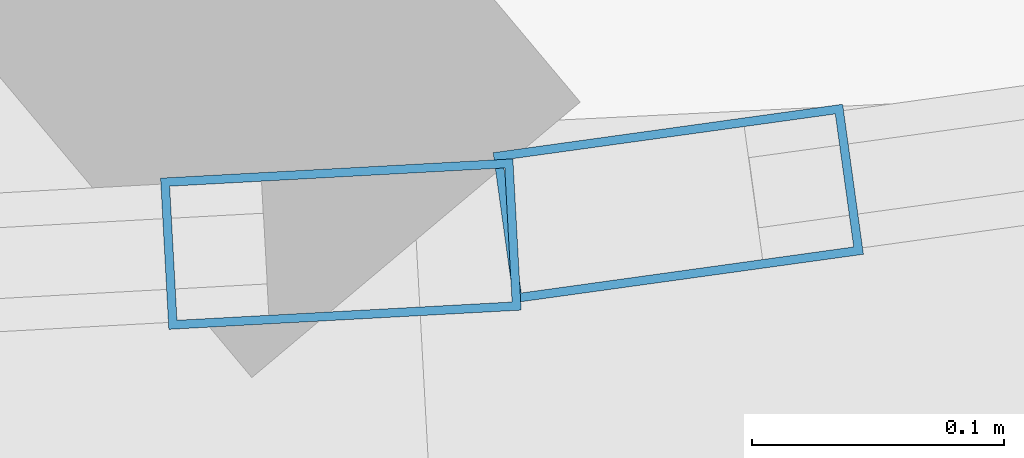
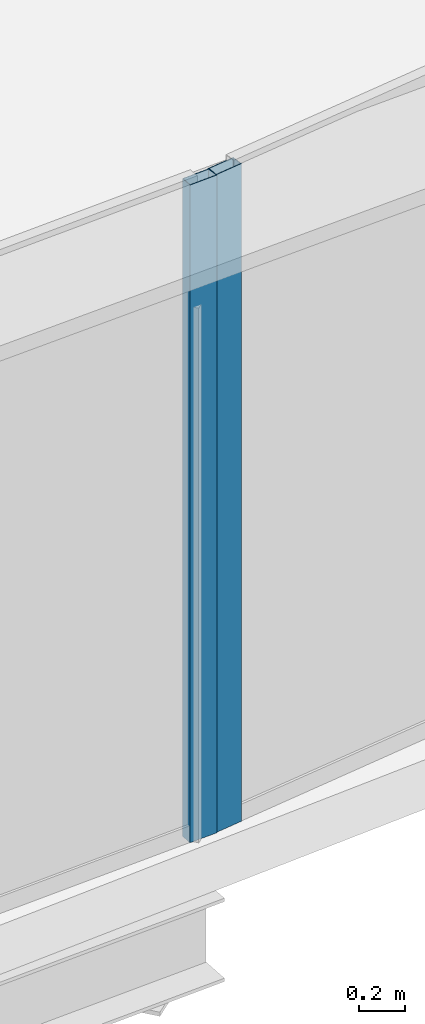
# One storey, part 12 of 36: 2 members, 2 elements without a shape of their own.
"""IFC4 building model written with IfcOpenShell, lengths in metres."""

from ifc_helpers import new_model, si_unit, direction, frame, origin, origin_2d, place, context, subcontext, project, spatial, hollow_rectangle, extrude, source, transform, mapped, material, layer, layer_set, material_profile, profile_set, type_object, element, aggregate, save


model = new_model("IFC4")

# Units and contexts
model_context = context("Model", 3, precision=1e-05, world=origin(), true_north=direction((0.0, 1.0)))
body_context = subcontext(model_context, "Body", "Model", "MODEL_VIEW")
ifc_project = project(units=[si_unit("LENGTHUNIT", "METRE"), si_unit("AREAUNIT", "SQUARE_METRE"), si_unit("VOLUMEUNIT", "CUBIC_METRE"), si_unit("PLANEANGLEUNIT", "RADIAN"), si_unit("MASSUNIT", "GRAM", prefix="KILO"), si_unit("THERMODYNAMICTEMPERATUREUNIT", "KELVIN"), si_unit("POWERUNIT", "WATT")], contexts=[model_context])

# Site, building, storey
site_placement = place(None, origin())
site = spatial("IfcSite", under=ifc_project, at=site_placement, CompositionType="ELEMENT")
building_placement = place(site_placement, origin())
building = spatial("IfcBuilding", under=site, at=building_placement, Name="Yunzhuo Pagoda Commons", CompositionType="ELEMENT")
storey_placement = place(building_placement, frame((0.0, 0.0, 244.530029296875)))
storey = spatial("IfcBuildingStorey", under=building, at=storey_placement, Name="L61", CompositionType="ELEMENT", Elevation=244.530029296875)

# Curtain wall, member
ifc_material = material(Name="Anodized aluminium 6063-T6", Category="aluminium")
ifc_layer = layer(ifc_material, 0.139892578125)
ifc_layer_set = layer_set([ifc_layer], Name="Anodized aluminium 6063-T6")
curtain_wall_type = type_object("IfcCurtainWallType", Name="CW-HI High-Zone Ribbon Curtain Wall", PredefinedType="NOTDEFINED", material=ifc_layer_set)
curtain_wall_1_placement = place(storey_placement, origin())
curtain_wall_1 = element("IfcCurtainWall", 1, at=curtain_wall_1_placement, inside=storey, type_object=curtain_wall_type, Name="L61 curtain wall CW-L61-F1B4", PredefinedType="NOTDEFINED")
ifc_material_profile = material_profile(ifc_material, hollow_rectangle(XDim=0.06005859375, YDim=0.139892578125, WallThickness=0.00341796875, at=origin_2d()), Name="Anodized aluminium 6063-T6")
ifc_profile_set = profile_set([ifc_material_profile], Name="Anodized aluminium 6063-T6")
member_type = type_object("IfcMemberType", Name="CW-HI-M Mullion RHS 140x60x3.5", PredefinedType="MULLION", material=ifc_profile_set)
shared_shape = source(origin(), body_context, "Body", "SweptSolid", [
    extrude(hollow_rectangle(XDim=0.06005859375, YDim=0.139892578125, WallThickness=0.00341796875, at=origin_2d()), origin(), (0.0, 0.0, 1.0), 3.469970703125),
])
member_1_placement = place(storey_placement, frame((62.079345703125, 16.883544921875, 0.0), z_axis=(0.0, 0.0, 1.0), x_axis=(-0.054497194278, 0.998513923697, 0.0)))
member_1 = element("IfcMember", 2, at=member_1_placement, type_object=member_type, Name="CW mullion 2", PredefinedType="MULLION", context=body_context, shape_type="MappedRepresentation", body=[
    mapped(shared_shape, transform((0.0, 0.0, 0.0), scale=1.0)),
])
aggregate(curtain_wall_1, [member_1])

curtain_wall_2_placement = place(storey_placement, origin())
curtain_wall_2 = element("IfcCurtainWall", 3, at=curtain_wall_2_placement, inside=storey, type_object=curtain_wall_type, Name="L61 curtain wall CW-L61-F1B5", PredefinedType="NOTDEFINED")
member_2_placement = place(storey_placement, frame((62.213134765625, 16.899658203125, 0.0), z_axis=(0.0, 0.0, 1.0), x_axis=(-0.137250412651, 0.990536382082, 0.0)))
member_2 = element("IfcMember", 4, at=member_2_placement, type_object=member_type, Name="CW mullion 1", PredefinedType="MULLION", context=body_context, shape_type="MappedRepresentation", body=[
    mapped(shared_shape, transform((0.0, 0.0, 0.0), scale=1.0)),
])
aggregate(curtain_wall_2, [member_2])

save(model, "model.ifc")
